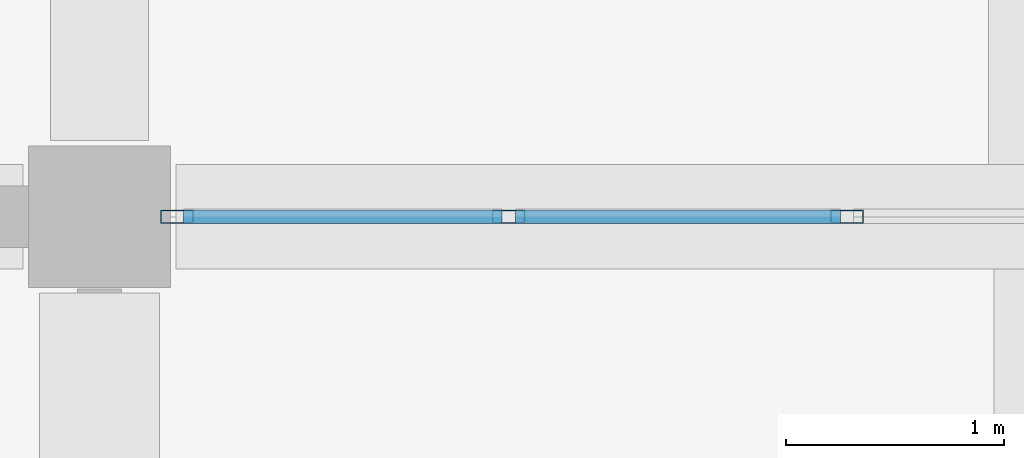
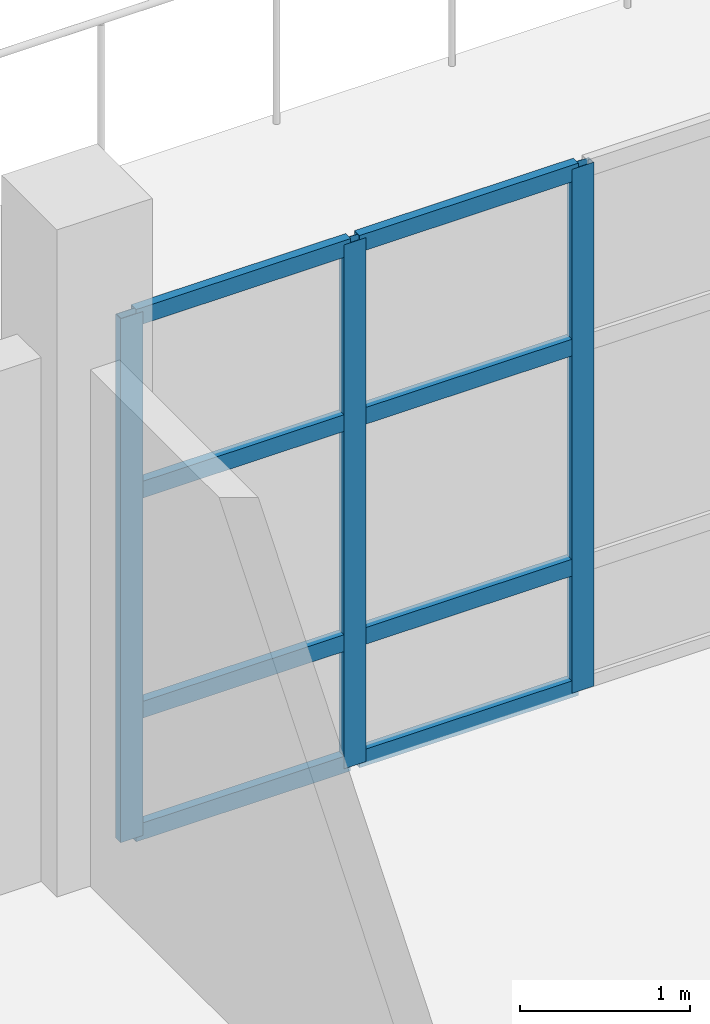
# One storey, part 44 of 79: 11 members, 1 element without a shape of its own.
"""IFC4 building model written with IfcOpenShell, lengths in metres."""

from ifc_helpers import new_model, si_unit, direction, frame, origin, origin_2d, place, context, subcontext, project, spatial, hollow_rectangle, extrude, material, material_profile, profile_set, type_object, element, aggregate, save


model = new_model("IFC4")

# Units and contexts
model_context = context("Model", 3, precision=1e-05, world=origin(), true_north=direction((0.0, 1.0)))
body_context = subcontext(model_context, "Body", "Model", "MODEL_VIEW")
ifc_project = project(units=[si_unit("LENGTHUNIT", "METRE"), si_unit("AREAUNIT", "SQUARE_METRE"), si_unit("VOLUMEUNIT", "CUBIC_METRE"), si_unit("PLANEANGLEUNIT", "RADIAN"), si_unit("MASSUNIT", "GRAM", prefix="KILO")], contexts=[model_context])

# Site, building, storey
site_placement = place(None, origin())
site = spatial("IfcSite", under=ifc_project, at=site_placement, CompositionType="ELEMENT")
building_placement = place(site_placement, origin())
building = spatial("IfcBuilding", under=site, at=building_placement, Name="Pellamere Symphony Hall", CompositionType="ELEMENT")
storey_placement = place(building_placement, frame((0.0, 0.0, 10.199951171875)))
storey = spatial("IfcBuildingStorey", under=building, at=storey_placement, Name="L02", CompositionType="ELEMENT", Elevation=10.199951171875)

# Curtain wall, members
ifc_material_1 = material(Name="Thermally Broken Anodised Aluminium 6063-T6 Curtain Wall", Category="aluminium")
curtain_wall_type = type_object("IfcCurtainWallType", Name="Curtain Wall CW-05 (Artists Wing North Studio Ribbon Curtain Wall)", PredefinedType="NOTDEFINED", material=ifc_material_1)
curtain_wall_placement = place(storey_placement, origin())
curtain_wall = element("IfcCurtainWall", 1, at=curtain_wall_placement, inside=storey, type_object=curtain_wall_type, Name="Artists Wing North Studio Curtain Wall (L02 Bay 2)", PredefinedType="NOTDEFINED")
ifc_material_2 = material(Name="Anodised Architectural Aluminium 6063-T6", Category="aluminium")
ifc_material_profile_1 = material_profile(ifc_material_2, hollow_rectangle(XDim=0.06005859375, YDim=0.14990234375, WallThickness=0.00390625, at=origin_2d()), Name="ALU-M60X150X4")
ifc_profile_set_1 = profile_set([ifc_material_profile_1], Name="Anodised Architectural Aluminium 6063-T6")
member_type_1 = type_object("IfcMemberType", Name="Curtain Wall Mullion ML-03 ALU-M60X150X4", PredefinedType="MULLION", material=ifc_profile_set_1)
member_1_placement = place(storey_placement, frame((156.35498046875, 93.60009765625, 0.0), z_axis=(0.0, 0.0, 1.0), x_axis=(0.0, 1.0, 0.0)))
member_1 = element("IfcMember", 2, at=member_1_placement, type_object=member_type_1, Name="CW5-136 crystal mullion 1", PredefinedType="MULLION", context=body_context, shape_type="SweptSolid", body=[
    extrude(hollow_rectangle(XDim=0.06005859375, YDim=0.14990234375, WallThickness=0.00390625, at=origin_2d()), origin(), (0.0, 0.0, 1.0), 3.77001953125),
])
member_2_placement = place(storey_placement, frame((157.875, 93.60009765625, 0.0), z_axis=(0.0, 0.0, 1.0), x_axis=(0.0, 1.0, 0.0)))
member_2 = element("IfcMember", 3, at=member_2_placement, type_object=member_type_1, Name="CW5-136 crystal mullion 2", PredefinedType="MULLION", context=body_context, shape_type="SweptSolid", body=[
    extrude(hollow_rectangle(XDim=0.06005859375, YDim=0.14990234375, WallThickness=0.00390625, at=origin_2d()), origin(), (0.0, 0.0, 1.0), 3.77001953125),
])
member_3_placement = place(storey_placement, frame((159.425048828125, 93.60009765625, 0.0), z_axis=(0.0, 0.0, 1.0), x_axis=(0.0, 1.0, 0.0)))
member_3 = element("IfcMember", 4, at=member_3_placement, type_object=member_type_1, Name="CW5-136 crystal mullion 3", PredefinedType="MULLION", context=body_context, shape_type="SweptSolid", body=[
    extrude(hollow_rectangle(XDim=0.06005859375, YDim=0.14990234375, WallThickness=0.00390625, at=origin_2d()), origin(), (0.0, 0.0, 1.0), 3.77001953125),
])
ifc_material_profile_2 = material_profile(ifc_material_2, hollow_rectangle(XDim=0.06005859375, YDim=0.1201171875, WallThickness=0.00390625, at=origin_2d()), Name="ALU-T60X120X4")
ifc_profile_set_2 = profile_set([ifc_material_profile_2], Name="Anodised Architectural Aluminium 6063-T6")
member_type_2 = type_object("IfcMemberType", Name="Curtain Wall Transom TR-03 ALU-T60X120X4", PredefinedType="USERDEFINED", material=ifc_profile_set_2)
member_4_placement = place(storey_placement, frame((156.385009765625, 93.60009765625, 0.030029296875), z_axis=(1.0, 0.0, 0.0), x_axis=(0.0, 1.0, 0.0)))
member_4 = element("IfcMember", 5, at=member_4_placement, type_object=member_type_2, Name="CW5-136 crystal transom 1.1", ObjectType="TRANSOM", PredefinedType="USERDEFINED", context=body_context, shape_type="SweptSolid", body=[
    extrude(hollow_rectangle(XDim=0.06005859375, YDim=0.1201171875, WallThickness=0.00390625, at=origin_2d()), origin(), (0.0, 0.0, 1.0), 1.4599609375),
])
member_5_placement = place(storey_placement, frame((156.385009765625, 93.60009765625, 0.90478515625), z_axis=(1.0, 0.0, 0.0), x_axis=(0.0, 1.0, 0.0)))
member_5 = element("IfcMember", 6, at=member_5_placement, type_object=member_type_2, Name="CW5-136 crystal transom 1.2", ObjectType="TRANSOM", PredefinedType="USERDEFINED", context=body_context, shape_type="SweptSolid", body=[
    extrude(hollow_rectangle(XDim=0.06005859375, YDim=0.1201171875, WallThickness=0.00390625, at=origin_2d()), origin(), (0.0, 0.0, 1.0), 1.4599609375),
])
member_6_placement = place(storey_placement, frame((156.385009765625, 93.60009765625, 2.48828125), z_axis=(1.0, 0.0, 0.0), x_axis=(0.0, 1.0, 0.0)))
member_6 = element("IfcMember", 7, at=member_6_placement, type_object=member_type_2, Name="CW5-136 crystal transom 1.3", ObjectType="TRANSOM", PredefinedType="USERDEFINED", context=body_context, shape_type="SweptSolid", body=[
    extrude(hollow_rectangle(XDim=0.06005859375, YDim=0.1201171875, WallThickness=0.00390625, at=origin_2d()), origin(), (0.0, 0.0, 1.0), 1.4599609375),
])
member_7_placement = place(storey_placement, frame((156.385009765625, 93.60009765625, 3.739990234375), z_axis=(1.0, 0.0, 0.0), x_axis=(0.0, 1.0, 0.0)))
member_7 = element("IfcMember", 8, at=member_7_placement, type_object=member_type_2, Name="CW5-136 crystal transom 1.4", ObjectType="TRANSOM", PredefinedType="USERDEFINED", context=body_context, shape_type="SweptSolid", body=[
    extrude(hollow_rectangle(XDim=0.06005859375, YDim=0.1201171875, WallThickness=0.00390625, at=origin_2d()), origin(), (0.0, 0.0, 1.0), 1.4599609375),
])
member_8_placement = place(storey_placement, frame((157.905029296875, 93.60009765625, 0.030029296875), z_axis=(1.0, 0.0, 0.0), x_axis=(0.0, 1.0, 0.0)))
member_8 = element("IfcMember", 9, at=member_8_placement, type_object=member_type_2, Name="CW5-136 crystal transom 2.1", ObjectType="TRANSOM", PredefinedType="USERDEFINED", context=body_context, shape_type="SweptSolid", body=[
    extrude(hollow_rectangle(XDim=0.06005859375, YDim=0.1201171875, WallThickness=0.00390625, at=origin_2d()), origin(), (0.0, 0.0, 1.0), 1.489990234375),
])
member_9_placement = place(storey_placement, frame((157.905029296875, 93.60009765625, 0.90478515625), z_axis=(1.0, 0.0, 0.0), x_axis=(0.0, 1.0, 0.0)))
member_9 = element("IfcMember", 10, at=member_9_placement, type_object=member_type_2, Name="CW5-136 crystal transom 2.2", ObjectType="TRANSOM", PredefinedType="USERDEFINED", context=body_context, shape_type="SweptSolid", body=[
    extrude(hollow_rectangle(XDim=0.06005859375, YDim=0.1201171875, WallThickness=0.00390625, at=origin_2d()), origin(), (0.0, 0.0, 1.0), 1.489990234375),
])
member_10_placement = place(storey_placement, frame((157.905029296875, 93.60009765625, 2.48828125), z_axis=(1.0, 0.0, 0.0), x_axis=(0.0, 1.0, 0.0)))
member_10 = element("IfcMember", 11, at=member_10_placement, type_object=member_type_2, Name="CW5-136 crystal transom 2.3", ObjectType="TRANSOM", PredefinedType="USERDEFINED", context=body_context, shape_type="SweptSolid", body=[
    extrude(hollow_rectangle(XDim=0.06005859375, YDim=0.1201171875, WallThickness=0.00390625, at=origin_2d()), origin(), (0.0, 0.0, 1.0), 1.489990234375),
])
member_11_placement = place(storey_placement, frame((157.905029296875, 93.60009765625, 3.739990234375), z_axis=(1.0, 0.0, 0.0), x_axis=(0.0, 1.0, 0.0)))
member_11 = element("IfcMember", 12, at=member_11_placement, type_object=member_type_2, Name="CW5-136 crystal transom 2.4", ObjectType="TRANSOM", PredefinedType="USERDEFINED", context=body_context, shape_type="SweptSolid", body=[
    extrude(hollow_rectangle(XDim=0.06005859375, YDim=0.1201171875, WallThickness=0.00390625, at=origin_2d()), origin(), (0.0, 0.0, 1.0), 1.489990234375),
])
aggregate(curtain_wall, [member_1, member_2, member_3, member_4, member_5, member_6, member_7, member_8, member_9, member_10, member_11])

save(model, "model.ifc")
